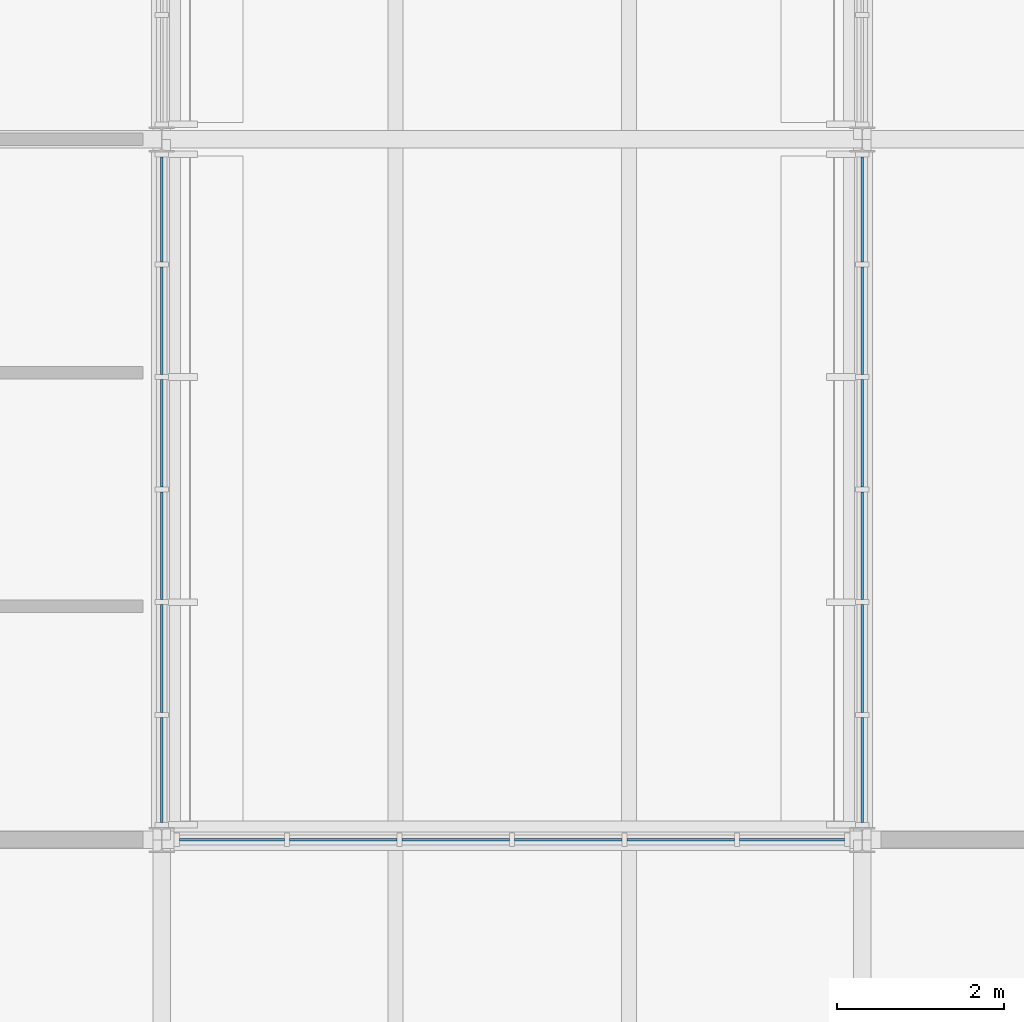
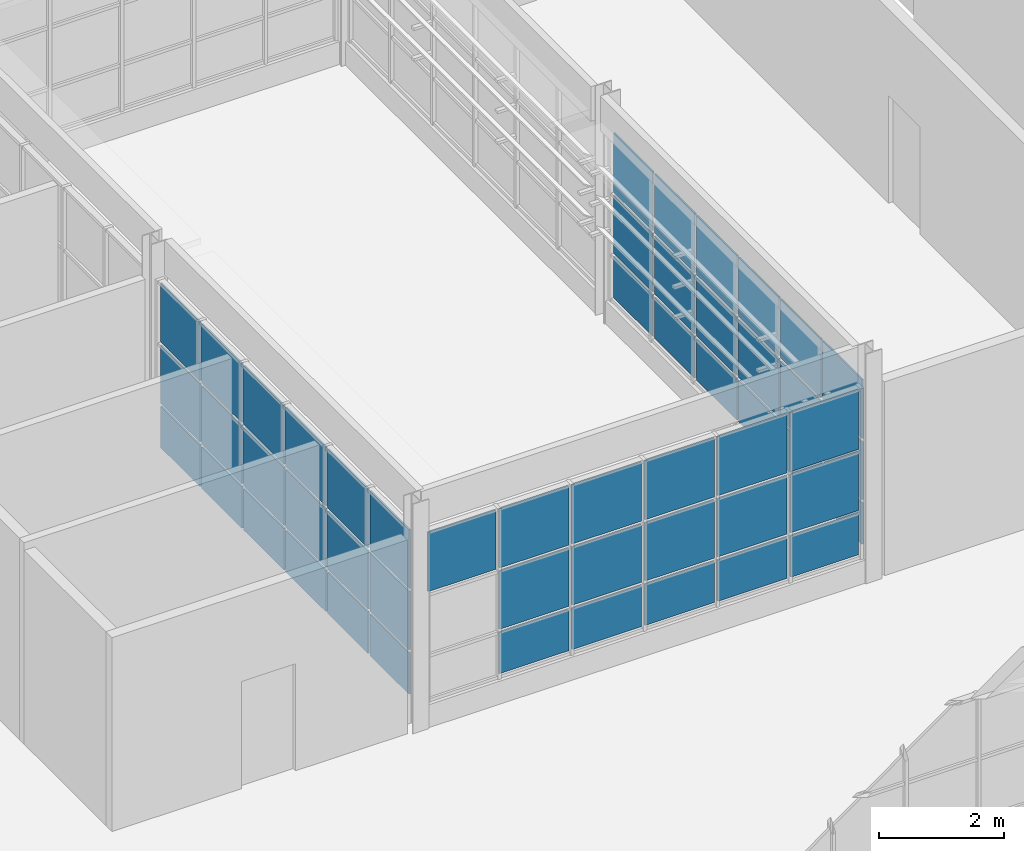
# One storey, part 77 of 116: 52 plates, 3 elements without a shape of their own.
"""IFC4 building model written with IfcOpenShell, lengths in metres."""

from ifc_helpers import new_model, si_unit, direction, frame, origin, origin_2d, place, context, subcontext, project, spatial, rectangle, extrude, material, layer, layer_set, type_object, element, aggregate, save


model = new_model("IFC4")

# Units and contexts
model_context = context("Model", 3, precision=1e-05, world=origin(), true_north=direction((0.0, 1.0)))
body_context = subcontext(model_context, "Body", "Model", "MODEL_VIEW")
ifc_project = project(units=[si_unit("LENGTHUNIT", "METRE"), si_unit("AREAUNIT", "SQUARE_METRE"), si_unit("VOLUMEUNIT", "CUBIC_METRE"), si_unit("PLANEANGLEUNIT", "RADIAN"), si_unit("MASSUNIT", "GRAM", prefix="KILO")], contexts=[model_context])

# Site, building, storey
site_placement = place(None, origin())
site = spatial("IfcSite", under=ifc_project, at=site_placement, CompositionType="ELEMENT")
building_placement = place(site_placement, origin())
building = spatial("IfcBuilding", under=site, at=building_placement, Name="Ardhachandra Cancer Care Centre", CompositionType="ELEMENT")
storey_placement = place(building_placement, origin())
storey = spatial("IfcBuildingStorey", under=building, at=storey_placement, Name="L00", CompositionType="ELEMENT", Elevation=0.0)

# Curtain wall, plates
ifc_material_1 = material(Name="Aluminium extrusion", Category="aluminium")
ifc_layer_1 = layer(ifc_material_1, 0.14990234375)
ifc_layer_set_1 = layer_set([ifc_layer_1], Name="Aluminium extrusion")
curtain_wall_type = type_object("IfcCurtainWallType", Name="Curtain wall run", PredefinedType="NOTDEFINED", material=ifc_layer_set_1)
curtain_wall_1_placement = place(storey_placement, origin())
curtain_wall_1 = element("IfcCurtainWall", 1, at=curtain_wall_1_placement, inside=storey, type_object=curtain_wall_type, Name="Curtain wall L00 e/0120000_0063000", PredefinedType="NOTDEFINED")
ifc_material_2 = material(Name="Low-iron double-glazed unit")
ifc_layer_2 = layer(ifc_material_2, 0.028076171875)
ifc_layer_set_2 = layer_set([ifc_layer_2], Name="Low-iron double-glazed unit")
plate_type_1 = type_object("IfcPlateType", Name="Curtain wall glazing 28", PredefinedType="CURTAIN_PANEL", material=ifc_layer_set_2)
plate_1_placement = place(storey_placement, frame((120.0, 63.840087890625, 1.3798828125), z_axis=(0.0, 0.0, 1.0), x_axis=(0.0, 1.0, 0.0)))
plate_1 = element("IfcPlate", 2, at=plate_1_placement, type_object=plate_type_1, Name="CW panel 1.2", PredefinedType="CURTAIN_PANEL", context=body_context, shape_type="SweptSolid", body=[
    extrude(rectangle(XDim=1.260009765625, YDim=0.028076171875, at=origin_2d()), origin(), (0.0, 0.0, 1.0), 1.139892578125),
])
plate_2_placement = place(storey_placement, frame((120.0, 63.840087890625, 2.580078125), z_axis=(0.0, 0.0, 1.0), x_axis=(0.0, 1.0, 0.0)))
plate_2 = element("IfcPlate", 3, at=plate_2_placement, type_object=plate_type_1, Name="CW panel 1.3", PredefinedType="CURTAIN_PANEL", context=body_context, shape_type="SweptSolid", body=[
    extrude(rectangle(XDim=1.260009765625, YDim=0.028076171875, at=origin_2d()), origin(), (0.0, 0.0, 1.0), 1.159912109375),
])
plate_3_placement = place(storey_placement, frame((120.0, 65.175048828125, 1.3798828125), z_axis=(0.0, 0.0, 1.0), x_axis=(0.0, 1.0, 0.0)))
plate_3 = element("IfcPlate", 4, at=plate_3_placement, type_object=plate_type_1, Name="CW panel 2.2", PredefinedType="CURTAIN_PANEL", context=body_context, shape_type="SweptSolid", body=[
    extrude(rectangle(XDim=1.2900390625, YDim=0.028076171875, at=origin_2d()), origin(), (0.0, 0.0, 1.0), 1.139892578125),
])
plate_4_placement = place(storey_placement, frame((120.0, 65.175048828125, 2.580078125), z_axis=(0.0, 0.0, 1.0), x_axis=(0.0, 1.0, 0.0)))
plate_4 = element("IfcPlate", 5, at=plate_4_placement, type_object=plate_type_1, Name="CW panel 2.3", PredefinedType="CURTAIN_PANEL", context=body_context, shape_type="SweptSolid", body=[
    extrude(rectangle(XDim=1.2900390625, YDim=0.028076171875, at=origin_2d()), origin(), (0.0, 0.0, 1.0), 1.159912109375),
])
plate_5_placement = place(storey_placement, frame((120.0, 66.52490234375, 1.3798828125), z_axis=(0.0, 0.0, 1.0), x_axis=(0.0, 1.0, 0.0)))
plate_5 = element("IfcPlate", 6, at=plate_5_placement, type_object=plate_type_1, Name="CW panel 3.2", PredefinedType="CURTAIN_PANEL", context=body_context, shape_type="SweptSolid", body=[
    extrude(rectangle(XDim=1.2900390625, YDim=0.028076171875, at=origin_2d()), origin(), (0.0, 0.0, 1.0), 1.139892578125),
])
plate_6_placement = place(storey_placement, frame((120.0, 66.52490234375, 2.580078125), z_axis=(0.0, 0.0, 1.0), x_axis=(0.0, 1.0, 0.0)))
plate_6 = element("IfcPlate", 7, at=plate_6_placement, type_object=plate_type_1, Name="CW panel 3.3", PredefinedType="CURTAIN_PANEL", context=body_context, shape_type="SweptSolid", body=[
    extrude(rectangle(XDim=1.2900390625, YDim=0.028076171875, at=origin_2d()), origin(), (0.0, 0.0, 1.0), 1.159912109375),
])
plate_7_placement = place(storey_placement, frame((120.0, 67.875, 1.3798828125), z_axis=(0.0, 0.0, 1.0), x_axis=(0.0, 1.0, 0.0)))
plate_7 = element("IfcPlate", 8, at=plate_7_placement, type_object=plate_type_1, Name="CW panel 4.2", PredefinedType="CURTAIN_PANEL", context=body_context, shape_type="SweptSolid", body=[
    extrude(rectangle(XDim=1.2900390625, YDim=0.028076171875, at=origin_2d()), origin(), (0.0, 0.0, 1.0), 1.139892578125),
])
plate_8_placement = place(storey_placement, frame((120.0, 67.875, 2.580078125), z_axis=(0.0, 0.0, 1.0), x_axis=(0.0, 1.0, 0.0)))
plate_8 = element("IfcPlate", 9, at=plate_8_placement, type_object=plate_type_1, Name="CW panel 4.3", PredefinedType="CURTAIN_PANEL", context=body_context, shape_type="SweptSolid", body=[
    extrude(rectangle(XDim=1.2900390625, YDim=0.028076171875, at=origin_2d()), origin(), (0.0, 0.0, 1.0), 1.159912109375),
])
plate_9_placement = place(storey_placement, frame((120.0, 69.22509765625, 1.3798828125), z_axis=(0.0, 0.0, 1.0), x_axis=(0.0, 1.0, 0.0)))
plate_9 = element("IfcPlate", 10, at=plate_9_placement, type_object=plate_type_1, Name="CW panel 5.2", PredefinedType="CURTAIN_PANEL", context=body_context, shape_type="SweptSolid", body=[
    extrude(rectangle(XDim=1.2900390625, YDim=0.028076171875, at=origin_2d()), origin(), (0.0, 0.0, 1.0), 1.139892578125),
])
plate_10_placement = place(storey_placement, frame((120.0, 69.22509765625, 2.580078125), z_axis=(0.0, 0.0, 1.0), x_axis=(0.0, 1.0, 0.0)))
plate_10 = element("IfcPlate", 11, at=plate_10_placement, type_object=plate_type_1, Name="CW panel 5.3", PredefinedType="CURTAIN_PANEL", context=body_context, shape_type="SweptSolid", body=[
    extrude(rectangle(XDim=1.2900390625, YDim=0.028076171875, at=origin_2d()), origin(), (0.0, 0.0, 1.0), 1.159912109375),
])
plate_11_placement = place(storey_placement, frame((120.0, 70.56005859375, 1.3798828125), z_axis=(0.0, 0.0, 1.0), x_axis=(0.0, 1.0, 0.0)))
plate_11 = element("IfcPlate", 12, at=plate_11_placement, type_object=plate_type_1, Name="CW panel 6.2", PredefinedType="CURTAIN_PANEL", context=body_context, shape_type="SweptSolid", body=[
    extrude(rectangle(XDim=1.260009765625, YDim=0.028076171875, at=origin_2d()), origin(), (0.0, 0.0, 1.0), 1.139892578125),
])
plate_12_placement = place(storey_placement, frame((120.0, 70.56005859375, 2.580078125), z_axis=(0.0, 0.0, 1.0), x_axis=(0.0, 1.0, 0.0)))
plate_12 = element("IfcPlate", 13, at=plate_12_placement, type_object=plate_type_1, Name="CW panel 6.3", PredefinedType="CURTAIN_PANEL", context=body_context, shape_type="SweptSolid", body=[
    extrude(rectangle(XDim=1.260009765625, YDim=0.028076171875, at=origin_2d()), origin(), (0.0, 0.0, 1.0), 1.159912109375),
])

curtain_wall_2_placement = place(storey_placement, origin())
curtain_wall_2 = element("IfcCurtainWall", 14, at=curtain_wall_2_placement, inside=storey, type_object=curtain_wall_type, Name="Curtain wall L00 n/0120000_0063000", PredefinedType="NOTDEFINED")
plate_13_placement = place(storey_placement, frame((120.840087890625, 63.0, 2.580078125), z_axis=(0.0, 0.0, 1.0), x_axis=(1.0, 0.0, 0.0)))
plate_13 = element("IfcPlate", 15, at=plate_13_placement, type_object=plate_type_1, Name="CW panel 1.3", PredefinedType="CURTAIN_PANEL", context=body_context, shape_type="SweptSolid", body=[
    extrude(rectangle(XDim=1.260009765625, YDim=0.028076171875, at=origin_2d()), origin(), (0.0, 0.0, 1.0), 1.159912109375),
])
plate_14_placement = place(storey_placement, frame((122.175048828125, 63.0, 1.3798828125), z_axis=(0.0, 0.0, 1.0), x_axis=(1.0, 0.0, 0.0)))
plate_14 = element("IfcPlate", 16, at=plate_14_placement, type_object=plate_type_1, Name="CW panel 2.2", PredefinedType="CURTAIN_PANEL", context=body_context, shape_type="SweptSolid", body=[
    extrude(rectangle(XDim=1.2900390625, YDim=0.028076171875, at=origin_2d()), origin(), (0.0, 0.0, 1.0), 1.139892578125),
])
plate_15_placement = place(storey_placement, frame((122.175048828125, 63.0, 2.580078125), z_axis=(0.0, 0.0, 1.0), x_axis=(1.0, 0.0, 0.0)))
plate_15 = element("IfcPlate", 17, at=plate_15_placement, type_object=plate_type_1, Name="CW panel 2.3", PredefinedType="CURTAIN_PANEL", context=body_context, shape_type="SweptSolid", body=[
    extrude(rectangle(XDim=1.2900390625, YDim=0.028076171875, at=origin_2d()), origin(), (0.0, 0.0, 1.0), 1.159912109375),
])
plate_16_placement = place(storey_placement, frame((123.52490234375, 63.0, 1.3798828125), z_axis=(0.0, 0.0, 1.0), x_axis=(1.0, 0.0, 0.0)))
plate_16 = element("IfcPlate", 18, at=plate_16_placement, type_object=plate_type_1, Name="CW panel 3.2", PredefinedType="CURTAIN_PANEL", context=body_context, shape_type="SweptSolid", body=[
    extrude(rectangle(XDim=1.2900390625, YDim=0.028076171875, at=origin_2d()), origin(), (0.0, 0.0, 1.0), 1.139892578125),
])
plate_17_placement = place(storey_placement, frame((123.52490234375, 63.0, 2.580078125), z_axis=(0.0, 0.0, 1.0), x_axis=(1.0, 0.0, 0.0)))
plate_17 = element("IfcPlate", 19, at=plate_17_placement, type_object=plate_type_1, Name="CW panel 3.3", PredefinedType="CURTAIN_PANEL", context=body_context, shape_type="SweptSolid", body=[
    extrude(rectangle(XDim=1.2900390625, YDim=0.028076171875, at=origin_2d()), origin(), (0.0, 0.0, 1.0), 1.159912109375),
])
plate_18_placement = place(storey_placement, frame((124.875, 63.0, 1.3798828125), z_axis=(0.0, 0.0, 1.0), x_axis=(1.0, 0.0, 0.0)))
plate_18 = element("IfcPlate", 20, at=plate_18_placement, type_object=plate_type_1, Name="CW panel 4.2", PredefinedType="CURTAIN_PANEL", context=body_context, shape_type="SweptSolid", body=[
    extrude(rectangle(XDim=1.2900390625, YDim=0.028076171875, at=origin_2d()), origin(), (0.0, 0.0, 1.0), 1.139892578125),
])
plate_19_placement = place(storey_placement, frame((124.875, 63.0, 2.580078125), z_axis=(0.0, 0.0, 1.0), x_axis=(1.0, 0.0, 0.0)))
plate_19 = element("IfcPlate", 21, at=plate_19_placement, type_object=plate_type_1, Name="CW panel 4.3", PredefinedType="CURTAIN_PANEL", context=body_context, shape_type="SweptSolid", body=[
    extrude(rectangle(XDim=1.2900390625, YDim=0.028076171875, at=origin_2d()), origin(), (0.0, 0.0, 1.0), 1.159912109375),
])
plate_20_placement = place(storey_placement, frame((126.22509765625, 63.0, 1.3798828125), z_axis=(0.0, 0.0, 1.0), x_axis=(1.0, 0.0, 0.0)))
plate_20 = element("IfcPlate", 22, at=plate_20_placement, type_object=plate_type_1, Name="CW panel 5.2", PredefinedType="CURTAIN_PANEL", context=body_context, shape_type="SweptSolid", body=[
    extrude(rectangle(XDim=1.2900390625, YDim=0.028076171875, at=origin_2d()), origin(), (0.0, 0.0, 1.0), 1.139892578125),
])
plate_21_placement = place(storey_placement, frame((126.22509765625, 63.0, 2.580078125), z_axis=(0.0, 0.0, 1.0), x_axis=(1.0, 0.0, 0.0)))
plate_21 = element("IfcPlate", 23, at=plate_21_placement, type_object=plate_type_1, Name="CW panel 5.3", PredefinedType="CURTAIN_PANEL", context=body_context, shape_type="SweptSolid", body=[
    extrude(rectangle(XDim=1.2900390625, YDim=0.028076171875, at=origin_2d()), origin(), (0.0, 0.0, 1.0), 1.159912109375),
])
plate_22_placement = place(storey_placement, frame((127.56005859375, 63.0, 1.3798828125), z_axis=(0.0, 0.0, 1.0), x_axis=(1.0, 0.0, 0.0)))
plate_22 = element("IfcPlate", 24, at=plate_22_placement, type_object=plate_type_1, Name="CW panel 6.2", PredefinedType="CURTAIN_PANEL", context=body_context, shape_type="SweptSolid", body=[
    extrude(rectangle(XDim=1.260009765625, YDim=0.028076171875, at=origin_2d()), origin(), (0.0, 0.0, 1.0), 1.139892578125),
])
plate_23_placement = place(storey_placement, frame((127.56005859375, 63.0, 2.580078125), z_axis=(0.0, 0.0, 1.0), x_axis=(1.0, 0.0, 0.0)))
plate_23 = element("IfcPlate", 25, at=plate_23_placement, type_object=plate_type_1, Name="CW panel 6.3", PredefinedType="CURTAIN_PANEL", context=body_context, shape_type="SweptSolid", body=[
    extrude(rectangle(XDim=1.260009765625, YDim=0.028076171875, at=origin_2d()), origin(), (0.0, 0.0, 1.0), 1.159912109375),
])

curtain_wall_3_placement = place(storey_placement, origin())
curtain_wall_3 = element("IfcCurtainWall", 26, at=curtain_wall_3_placement, inside=storey, type_object=curtain_wall_type, Name="Curtain wall L00 w/0128400_0063000", PredefinedType="NOTDEFINED")
plate_24_placement = place(storey_placement, frame((128.39990234375, 63.840087890625, 1.3798828125), z_axis=(0.0, 0.0, 1.0), x_axis=(0.0, 1.0, 0.0)))
plate_24 = element("IfcPlate", 27, at=plate_24_placement, type_object=plate_type_1, Name="CW panel 1.2", PredefinedType="CURTAIN_PANEL", context=body_context, shape_type="SweptSolid", body=[
    extrude(rectangle(XDim=1.260009765625, YDim=0.028076171875, at=origin_2d()), origin(), (0.0, 0.0, 1.0), 1.139892578125),
])
plate_25_placement = place(storey_placement, frame((128.39990234375, 63.840087890625, 2.580078125), z_axis=(0.0, 0.0, 1.0), x_axis=(0.0, 1.0, 0.0)))
plate_25 = element("IfcPlate", 28, at=plate_25_placement, type_object=plate_type_1, Name="CW panel 1.3", PredefinedType="CURTAIN_PANEL", context=body_context, shape_type="SweptSolid", body=[
    extrude(rectangle(XDim=1.260009765625, YDim=0.028076171875, at=origin_2d()), origin(), (0.0, 0.0, 1.0), 1.159912109375),
])
plate_26_placement = place(storey_placement, frame((128.39990234375, 65.175048828125, 1.3798828125), z_axis=(0.0, 0.0, 1.0), x_axis=(0.0, 1.0, 0.0)))
plate_26 = element("IfcPlate", 29, at=plate_26_placement, type_object=plate_type_1, Name="CW panel 2.2", PredefinedType="CURTAIN_PANEL", context=body_context, shape_type="SweptSolid", body=[
    extrude(rectangle(XDim=1.2900390625, YDim=0.028076171875, at=origin_2d()), origin(), (0.0, 0.0, 1.0), 1.139892578125),
])
plate_27_placement = place(storey_placement, frame((128.39990234375, 65.175048828125, 2.580078125), z_axis=(0.0, 0.0, 1.0), x_axis=(0.0, 1.0, 0.0)))
plate_27 = element("IfcPlate", 30, at=plate_27_placement, type_object=plate_type_1, Name="CW panel 2.3", PredefinedType="CURTAIN_PANEL", context=body_context, shape_type="SweptSolid", body=[
    extrude(rectangle(XDim=1.2900390625, YDim=0.028076171875, at=origin_2d()), origin(), (0.0, 0.0, 1.0), 1.159912109375),
])
plate_28_placement = place(storey_placement, frame((128.39990234375, 66.52490234375, 1.3798828125), z_axis=(0.0, 0.0, 1.0), x_axis=(0.0, 1.0, 0.0)))
plate_28 = element("IfcPlate", 31, at=plate_28_placement, type_object=plate_type_1, Name="CW panel 3.2", PredefinedType="CURTAIN_PANEL", context=body_context, shape_type="SweptSolid", body=[
    extrude(rectangle(XDim=1.2900390625, YDim=0.028076171875, at=origin_2d()), origin(), (0.0, 0.0, 1.0), 1.139892578125),
])
plate_29_placement = place(storey_placement, frame((128.39990234375, 66.52490234375, 2.580078125), z_axis=(0.0, 0.0, 1.0), x_axis=(0.0, 1.0, 0.0)))
plate_29 = element("IfcPlate", 32, at=plate_29_placement, type_object=plate_type_1, Name="CW panel 3.3", PredefinedType="CURTAIN_PANEL", context=body_context, shape_type="SweptSolid", body=[
    extrude(rectangle(XDim=1.2900390625, YDim=0.028076171875, at=origin_2d()), origin(), (0.0, 0.0, 1.0), 1.159912109375),
])
plate_30_placement = place(storey_placement, frame((128.39990234375, 67.875, 1.3798828125), z_axis=(0.0, 0.0, 1.0), x_axis=(0.0, 1.0, 0.0)))
plate_30 = element("IfcPlate", 33, at=plate_30_placement, type_object=plate_type_1, Name="CW panel 4.2", PredefinedType="CURTAIN_PANEL", context=body_context, shape_type="SweptSolid", body=[
    extrude(rectangle(XDim=1.2900390625, YDim=0.028076171875, at=origin_2d()), origin(), (0.0, 0.0, 1.0), 1.139892578125),
])
plate_31_placement = place(storey_placement, frame((128.39990234375, 67.875, 2.580078125), z_axis=(0.0, 0.0, 1.0), x_axis=(0.0, 1.0, 0.0)))
plate_31 = element("IfcPlate", 34, at=plate_31_placement, type_object=plate_type_1, Name="CW panel 4.3", PredefinedType="CURTAIN_PANEL", context=body_context, shape_type="SweptSolid", body=[
    extrude(rectangle(XDim=1.2900390625, YDim=0.028076171875, at=origin_2d()), origin(), (0.0, 0.0, 1.0), 1.159912109375),
])
plate_32_placement = place(storey_placement, frame((128.39990234375, 69.22509765625, 1.3798828125), z_axis=(0.0, 0.0, 1.0), x_axis=(0.0, 1.0, 0.0)))
plate_32 = element("IfcPlate", 35, at=plate_32_placement, type_object=plate_type_1, Name="CW panel 5.2", PredefinedType="CURTAIN_PANEL", context=body_context, shape_type="SweptSolid", body=[
    extrude(rectangle(XDim=1.2900390625, YDim=0.028076171875, at=origin_2d()), origin(), (0.0, 0.0, 1.0), 1.139892578125),
])
plate_33_placement = place(storey_placement, frame((128.39990234375, 69.22509765625, 2.580078125), z_axis=(0.0, 0.0, 1.0), x_axis=(0.0, 1.0, 0.0)))
plate_33 = element("IfcPlate", 36, at=plate_33_placement, type_object=plate_type_1, Name="CW panel 5.3", PredefinedType="CURTAIN_PANEL", context=body_context, shape_type="SweptSolid", body=[
    extrude(rectangle(XDim=1.2900390625, YDim=0.028076171875, at=origin_2d()), origin(), (0.0, 0.0, 1.0), 1.159912109375),
])
plate_34_placement = place(storey_placement, frame((128.39990234375, 70.56005859375, 1.3798828125), z_axis=(0.0, 0.0, 1.0), x_axis=(0.0, 1.0, 0.0)))
plate_34 = element("IfcPlate", 37, at=plate_34_placement, type_object=plate_type_1, Name="CW panel 6.2", PredefinedType="CURTAIN_PANEL", context=body_context, shape_type="SweptSolid", body=[
    extrude(rectangle(XDim=1.260009765625, YDim=0.028076171875, at=origin_2d()), origin(), (0.0, 0.0, 1.0), 1.139892578125),
])
plate_35_placement = place(storey_placement, frame((128.39990234375, 70.56005859375, 2.580078125), z_axis=(0.0, 0.0, 1.0), x_axis=(0.0, 1.0, 0.0)))
plate_35 = element("IfcPlate", 38, at=plate_35_placement, type_object=plate_type_1, Name="CW panel 6.3", PredefinedType="CURTAIN_PANEL", context=body_context, shape_type="SweptSolid", body=[
    extrude(rectangle(XDim=1.260009765625, YDim=0.028076171875, at=origin_2d()), origin(), (0.0, 0.0, 1.0), 1.159912109375),
])

# Plate
ifc_material_3 = material(Name="Aluminium composite spandrel panel", Category="aluminium")
ifc_layer_3 = layer(ifc_material_3, 0.028076171875)
ifc_layer_set_3 = layer_set([ifc_layer_3], Name="Aluminium composite spandrel panel")
plate_type_2 = type_object("IfcPlateType", Name="Curtain wall spandrel panel 28", PredefinedType="CURTAIN_PANEL", material=ifc_layer_set_3)
plate_36_placement = place(storey_placement, frame((120.0, 63.840087890625, 0.510009765625), z_axis=(0.0, 0.0, 1.0), x_axis=(0.0, 1.0, 0.0)))
plate_36 = element("IfcPlate", 39, at=plate_36_placement, type_object=plate_type_2, Name="CW panel 1.1", PredefinedType="CURTAIN_PANEL", context=body_context, shape_type="SweptSolid", body=[
    extrude(rectangle(XDim=1.260009765625, YDim=0.028076171875, at=origin_2d()), origin(), (0.0, 0.0, 1.0), 0.81005859375),
])

plate_37_placement = place(storey_placement, frame((120.0, 65.175048828125, 0.510009765625), z_axis=(0.0, 0.0, 1.0), x_axis=(0.0, 1.0, 0.0)))
plate_37 = element("IfcPlate", 40, at=plate_37_placement, type_object=plate_type_2, Name="CW panel 2.1", PredefinedType="CURTAIN_PANEL", context=body_context, shape_type="SweptSolid", body=[
    extrude(rectangle(XDim=1.2900390625, YDim=0.028076171875, at=origin_2d()), origin(), (0.0, 0.0, 1.0), 0.81005859375),
])

plate_38_placement = place(storey_placement, frame((120.0, 66.52490234375, 0.510009765625), z_axis=(0.0, 0.0, 1.0), x_axis=(0.0, 1.0, 0.0)))
plate_38 = element("IfcPlate", 41, at=plate_38_placement, type_object=plate_type_2, Name="CW panel 3.1", PredefinedType="CURTAIN_PANEL", context=body_context, shape_type="SweptSolid", body=[
    extrude(rectangle(XDim=1.2900390625, YDim=0.028076171875, at=origin_2d()), origin(), (0.0, 0.0, 1.0), 0.81005859375),
])

plate_39_placement = place(storey_placement, frame((120.0, 67.875, 0.510009765625), z_axis=(0.0, 0.0, 1.0), x_axis=(0.0, 1.0, 0.0)))
plate_39 = element("IfcPlate", 42, at=plate_39_placement, type_object=plate_type_2, Name="CW panel 4.1", PredefinedType="CURTAIN_PANEL", context=body_context, shape_type="SweptSolid", body=[
    extrude(rectangle(XDim=1.2900390625, YDim=0.028076171875, at=origin_2d()), origin(), (0.0, 0.0, 1.0), 0.81005859375),
])

plate_40_placement = place(storey_placement, frame((120.0, 69.22509765625, 0.510009765625), z_axis=(0.0, 0.0, 1.0), x_axis=(0.0, 1.0, 0.0)))
plate_40 = element("IfcPlate", 43, at=plate_40_placement, type_object=plate_type_2, Name="CW panel 5.1", PredefinedType="CURTAIN_PANEL", context=body_context, shape_type="SweptSolid", body=[
    extrude(rectangle(XDim=1.2900390625, YDim=0.028076171875, at=origin_2d()), origin(), (0.0, 0.0, 1.0), 0.81005859375),
])

plate_41_placement = place(storey_placement, frame((120.0, 70.56005859375, 0.510009765625), z_axis=(0.0, 0.0, 1.0), x_axis=(0.0, 1.0, 0.0)))
plate_41 = element("IfcPlate", 44, at=plate_41_placement, type_object=plate_type_2, Name="CW panel 6.1", PredefinedType="CURTAIN_PANEL", context=body_context, shape_type="SweptSolid", body=[
    extrude(rectangle(XDim=1.260009765625, YDim=0.028076171875, at=origin_2d()), origin(), (0.0, 0.0, 1.0), 0.81005859375),
])

aggregate(curtain_wall_1, [plate_36, plate_1, plate_2, plate_37, plate_3, plate_4, plate_38, plate_5, plate_6, plate_39, plate_7, plate_8, plate_40, plate_9, plate_10, plate_41, plate_11, plate_12])

plate_42_placement = place(storey_placement, frame((122.175048828125, 63.0, 0.510009765625), z_axis=(0.0, 0.0, 1.0), x_axis=(1.0, 0.0, 0.0)))
plate_42 = element("IfcPlate", 45, at=plate_42_placement, type_object=plate_type_2, Name="CW panel 2.1", PredefinedType="CURTAIN_PANEL", context=body_context, shape_type="SweptSolid", body=[
    extrude(rectangle(XDim=1.2900390625, YDim=0.028076171875, at=origin_2d()), origin(), (0.0, 0.0, 1.0), 0.81005859375),
])

plate_43_placement = place(storey_placement, frame((123.52490234375, 63.0, 0.510009765625), z_axis=(0.0, 0.0, 1.0), x_axis=(1.0, 0.0, 0.0)))
plate_43 = element("IfcPlate", 46, at=plate_43_placement, type_object=plate_type_2, Name="CW panel 3.1", PredefinedType="CURTAIN_PANEL", context=body_context, shape_type="SweptSolid", body=[
    extrude(rectangle(XDim=1.2900390625, YDim=0.028076171875, at=origin_2d()), origin(), (0.0, 0.0, 1.0), 0.81005859375),
])

plate_44_placement = place(storey_placement, frame((124.875, 63.0, 0.510009765625), z_axis=(0.0, 0.0, 1.0), x_axis=(1.0, 0.0, 0.0)))
plate_44 = element("IfcPlate", 47, at=plate_44_placement, type_object=plate_type_2, Name="CW panel 4.1", PredefinedType="CURTAIN_PANEL", context=body_context, shape_type="SweptSolid", body=[
    extrude(rectangle(XDim=1.2900390625, YDim=0.028076171875, at=origin_2d()), origin(), (0.0, 0.0, 1.0), 0.81005859375),
])

plate_45_placement = place(storey_placement, frame((126.22509765625, 63.0, 0.510009765625), z_axis=(0.0, 0.0, 1.0), x_axis=(1.0, 0.0, 0.0)))
plate_45 = element("IfcPlate", 48, at=plate_45_placement, type_object=plate_type_2, Name="CW panel 5.1", PredefinedType="CURTAIN_PANEL", context=body_context, shape_type="SweptSolid", body=[
    extrude(rectangle(XDim=1.2900390625, YDim=0.028076171875, at=origin_2d()), origin(), (0.0, 0.0, 1.0), 0.81005859375),
])

plate_46_placement = place(storey_placement, frame((127.56005859375, 63.0, 0.510009765625), z_axis=(0.0, 0.0, 1.0), x_axis=(1.0, 0.0, 0.0)))
plate_46 = element("IfcPlate", 49, at=plate_46_placement, type_object=plate_type_2, Name="CW panel 6.1", PredefinedType="CURTAIN_PANEL", context=body_context, shape_type="SweptSolid", body=[
    extrude(rectangle(XDim=1.260009765625, YDim=0.028076171875, at=origin_2d()), origin(), (0.0, 0.0, 1.0), 0.81005859375),
])

aggregate(curtain_wall_2, [plate_13, plate_42, plate_14, plate_15, plate_43, plate_16, plate_17, plate_44, plate_18, plate_19, plate_45, plate_20, plate_21, plate_46, plate_22, plate_23])

plate_47_placement = place(storey_placement, frame((128.39990234375, 63.840087890625, 0.510009765625), z_axis=(0.0, 0.0, 1.0), x_axis=(0.0, 1.0, 0.0)))
plate_47 = element("IfcPlate", 50, at=plate_47_placement, type_object=plate_type_2, Name="CW panel 1.1", PredefinedType="CURTAIN_PANEL", context=body_context, shape_type="SweptSolid", body=[
    extrude(rectangle(XDim=1.260009765625, YDim=0.028076171875, at=origin_2d()), origin(), (0.0, 0.0, 1.0), 0.81005859375),
])

plate_48_placement = place(storey_placement, frame((128.39990234375, 65.175048828125, 0.510009765625), z_axis=(0.0, 0.0, 1.0), x_axis=(0.0, 1.0, 0.0)))
plate_48 = element("IfcPlate", 51, at=plate_48_placement, type_object=plate_type_2, Name="CW panel 2.1", PredefinedType="CURTAIN_PANEL", context=body_context, shape_type="SweptSolid", body=[
    extrude(rectangle(XDim=1.2900390625, YDim=0.028076171875, at=origin_2d()), origin(), (0.0, 0.0, 1.0), 0.81005859375),
])

plate_49_placement = place(storey_placement, frame((128.39990234375, 66.52490234375, 0.510009765625), z_axis=(0.0, 0.0, 1.0), x_axis=(0.0, 1.0, 0.0)))
plate_49 = element("IfcPlate", 52, at=plate_49_placement, type_object=plate_type_2, Name="CW panel 3.1", PredefinedType="CURTAIN_PANEL", context=body_context, shape_type="SweptSolid", body=[
    extrude(rectangle(XDim=1.2900390625, YDim=0.028076171875, at=origin_2d()), origin(), (0.0, 0.0, 1.0), 0.81005859375),
])

plate_50_placement = place(storey_placement, frame((128.39990234375, 67.875, 0.510009765625), z_axis=(0.0, 0.0, 1.0), x_axis=(0.0, 1.0, 0.0)))
plate_50 = element("IfcPlate", 53, at=plate_50_placement, type_object=plate_type_2, Name="CW panel 4.1", PredefinedType="CURTAIN_PANEL", context=body_context, shape_type="SweptSolid", body=[
    extrude(rectangle(XDim=1.2900390625, YDim=0.028076171875, at=origin_2d()), origin(), (0.0, 0.0, 1.0), 0.81005859375),
])

plate_51_placement = place(storey_placement, frame((128.39990234375, 69.22509765625, 0.510009765625), z_axis=(0.0, 0.0, 1.0), x_axis=(0.0, 1.0, 0.0)))
plate_51 = element("IfcPlate", 54, at=plate_51_placement, type_object=plate_type_2, Name="CW panel 5.1", PredefinedType="CURTAIN_PANEL", context=body_context, shape_type="SweptSolid", body=[
    extrude(rectangle(XDim=1.2900390625, YDim=0.028076171875, at=origin_2d()), origin(), (0.0, 0.0, 1.0), 0.81005859375),
])

plate_52_placement = place(storey_placement, frame((128.39990234375, 70.56005859375, 0.510009765625), z_axis=(0.0, 0.0, 1.0), x_axis=(0.0, 1.0, 0.0)))
plate_52 = element("IfcPlate", 55, at=plate_52_placement, type_object=plate_type_2, Name="CW panel 6.1", PredefinedType="CURTAIN_PANEL", context=body_context, shape_type="SweptSolid", body=[
    extrude(rectangle(XDim=1.260009765625, YDim=0.028076171875, at=origin_2d()), origin(), (0.0, 0.0, 1.0), 0.81005859375),
])

aggregate(curtain_wall_3, [plate_47, plate_24, plate_25, plate_48, plate_26, plate_27, plate_49, plate_28, plate_29, plate_50, plate_30, plate_31, plate_51, plate_32, plate_33, plate_52, plate_34, plate_35])

save(model, "model.ifc")
